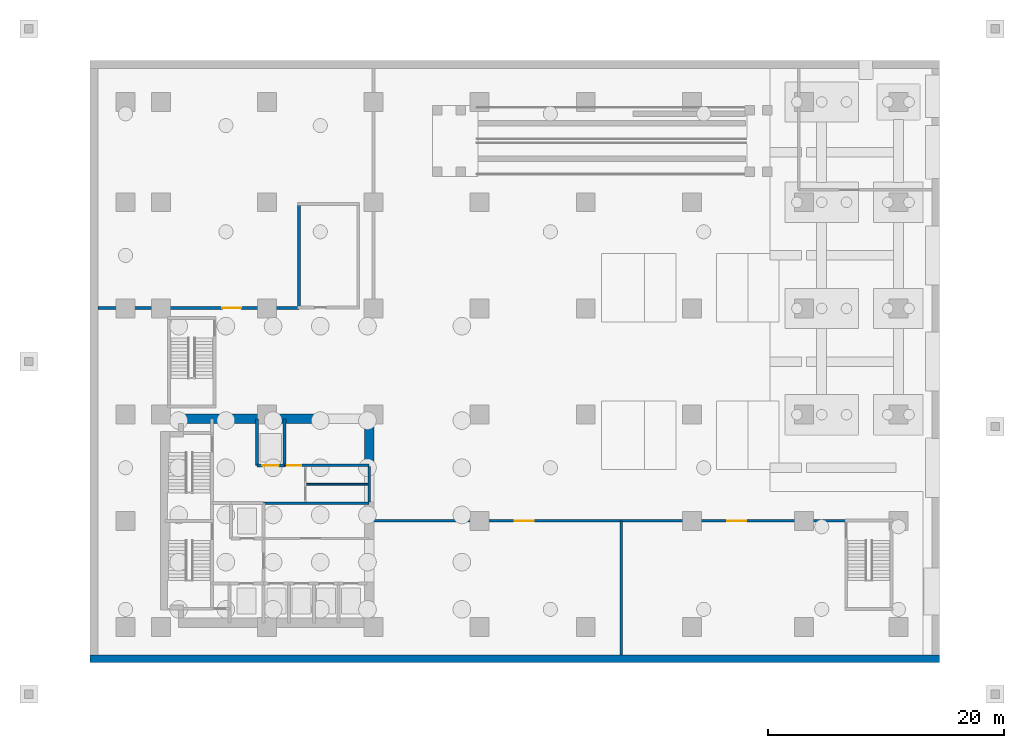
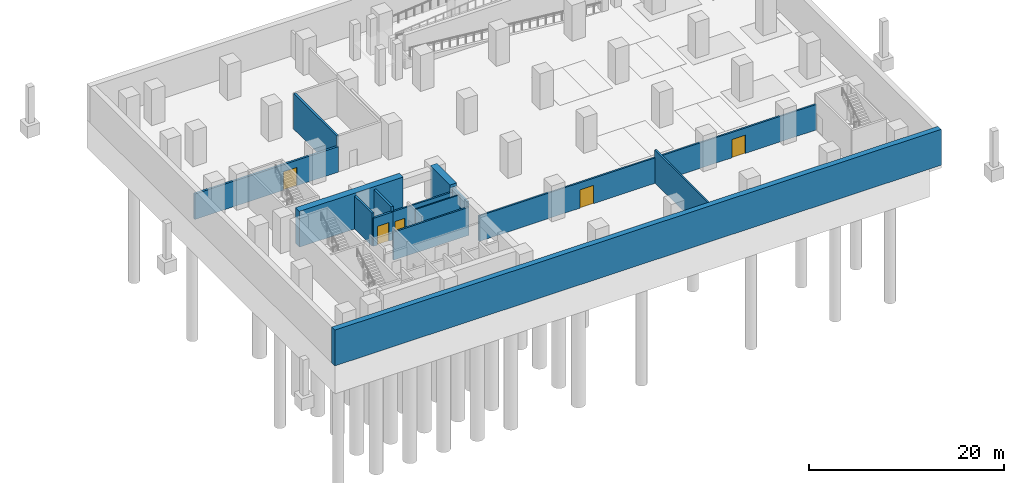
# One storey, part 5 of 10: 15 walls, 5 doors, 5 openings.
"""IFC4 building model written with IfcOpenShell, lengths in metres."""

import ifcopenshell
import ifcopenshell.guid

model = None  # the IFC model being written
_history = None  # IfcOwnerHistory: only IFC2X3 demands one
_inside = {}  # id of a spatial element -> (the spatial element, [elements in it])
_under = {}  # id of a project, library or spatial element -> (it, [spatial elements below it])
_declared = {}  # id of a project -> (the project, [libraries it declares])
_typed = {}  # id of a type object -> (the type object, [elements of that type])
_made_of = {}  # id of a material, layer set ... -> (it, [elements and type objects made of it])


def new_model(schema):
    """Start an empty IFC model of exactly this schema.

    Asked for "IFC4X3", IfcOpenShell would pick the latest addendum, in which some entities
    have other attributes; the version numbers below select the first issue.
    IFC2X3 requires an IfcOwnerHistory on every rooted entity: one is made here for all.
    """
    global model, _history
    if schema == "IFC4X3":
        model = ifcopenshell.file(schema_version=(4, 3, 0, 0))
    else:
        model = ifcopenshell.file(schema=schema)
    _inside.clear()
    _under.clear()
    _declared.clear()
    _typed.clear()
    _made_of.clear()
    _history = None
    if model.schema == "IFC2X3":
        org = make("IfcOrganization", Name="unknown")
        user = make(
            "IfcPersonAndOrganization",
            ThePerson=make("IfcPerson", FamilyName="unknown"),
            TheOrganization=org,
        )
        app = make(
            "IfcApplication",
            ApplicationDeveloper=org,
            Version="unknown",
            ApplicationFullName="unknown",
            ApplicationIdentifier="unknown",
        )
        _history = make(
            "IfcOwnerHistory",
            OwningUser=user,
            OwningApplication=app,
            ChangeAction="ADDED",
            CreationDate=0,
        )
    return model


def make(cls, **values):
    """One entity of the class cls with the attributes given. An attribute that is None is left unset."""
    return model.create_entity(
        cls, **{name: value for name, value in values.items() if value is not None}
    )


def rooted(cls, **values):
    """An entity with a GlobalId (a new one), such as an element, a storey or a relation."""
    return make(cls, GlobalId=ifcopenshell.guid.new(), OwnerHistory=_history, **values)


def si_unit(unit_type, name, prefix=None):
    """IfcSIUnit, for example si_unit("LENGTHUNIT", "METRE", prefix="MILLI")."""
    return make("IfcSIUnit", UnitType=unit_type, Prefix=prefix, Name=name)


def assignment(units):
    """IfcUnitAssignment: the units of a project."""
    return None if units is None else make("IfcUnitAssignment", Units=units)


def point(xyz):
    """IfcCartesianPoint."""
    return None if xyz is None else make("IfcCartesianPoint", Coordinates=xyz)


def direction(xyz):
    """IfcDirection."""
    return None if xyz is None else make("IfcDirection", DirectionRatios=xyz)


def frame(location, z_axis=None, x_axis=None):
    """IfcAxis2Placement3D, a coordinate frame: its origin and axes. An axis left out is left unset."""
    return make(
        "IfcAxis2Placement3D",
        Location=point(location),
        Axis=direction(z_axis),
        RefDirection=direction(x_axis),
    )


def frame_2d(location, x_axis=None):
    """IfcAxis2Placement2D, a coordinate frame in the plane: its origin and x axis."""
    return make(
        "IfcAxis2Placement2D", Location=point(location), RefDirection=direction(x_axis)
    )


def origin():
    """The frame at (0, 0, 0) with its axes left unset."""
    return frame((0.0, 0.0, 0.0))


def place(relative_to, where):
    """IfcLocalPlacement: puts the frame where relative to a parent placement (None: the world)."""
    return make(
        "IfcLocalPlacement", PlacementRelTo=relative_to, RelativePlacement=where
    )


def context(
    kind, dimensions, precision=None, world=None, true_north=None, identifier=None
):
    """IfcGeometricRepresentationContext, for example the 3D "Model" context."""
    return make(
        "IfcGeometricRepresentationContext",
        ContextIdentifier=identifier,
        ContextType=kind,
        CoordinateSpaceDimension=dimensions,
        Precision=precision,
        WorldCoordinateSystem=world,
        TrueNorth=true_north,
    )


def subcontext(parent, identifier, kind, view, scale=None):
    """IfcGeometricRepresentationSubContext, for example "Body" below "Model"."""
    return make(
        "IfcGeometricRepresentationSubContext",
        ContextIdentifier=identifier,
        ContextType=kind,
        ParentContext=parent,
        TargetScale=scale,
        TargetView=view,
    )


def project(units=None, contexts=None):
    """IfcProject with its units and contexts."""
    return rooted(
        "IfcProject",
        Name="project",
        RepresentationContexts=contexts,
        UnitsInContext=assignment(units),
    )


def spatial(cls, under=None, at=None, **own):
    """A site, building, storey or space (cls), placed at a placement, below another one or the project."""
    s = rooted(cls, ObjectPlacement=at, **own)
    if under is not None:
        _under.setdefault(under.id(), (under, []))[1].append(s)
    return s


def profile(cls, at=None, kind="AREA", **sizes):
    """A parametric profile (cls). Its sizes go by their IFC names, for example OverallWidth=200.0."""
    return make(cls, ProfileType=kind, Position=at, **sizes)


def rectangle(**sizes):
    """IfcRectangleProfileDef."""
    return profile("IfcRectangleProfileDef", **sizes)


def extrude(swept, where, along, depth):
    """IfcExtrudedAreaSolid: the profile swept, set in the frame where, extruded along a direction by depth."""
    return make(
        "IfcExtrudedAreaSolid",
        SweptArea=swept,
        Position=where,
        ExtrudedDirection=direction(along),
        Depth=depth,
    )


def shape(context_of_items, identifier, shape_type, items):
    """IfcShapeRepresentation: the items that make up one representation, for example the "Body"."""
    return make(
        "IfcShapeRepresentation",
        ContextOfItems=context_of_items,
        RepresentationIdentifier=identifier,
        RepresentationType=shape_type,
        Items=items,
    )


def material(Name=None, Category=None):
    """IfcMaterial."""
    return make("IfcMaterial", Name=Name, Category=Category)


def layer(
    of_material, thickness, ventilated=None, Name=None, Category=None, Priority=None
):
    """IfcMaterialLayer: one layer of a wall or slab, of a material (None: an air gap)."""
    return make(
        "IfcMaterialLayer",
        Material=of_material,
        LayerThickness=thickness,
        IsVentilated=ventilated,
        Name=Name,
        Category=Category,
        Priority=Priority,
    )


def layer_set(layers, Name=None):
    """IfcMaterialLayerSet."""
    return make("IfcMaterialLayerSet", MaterialLayers=layers, LayerSetName=Name)


def made_of(thing, what):
    """Note that an element or type object is made of a material, layer set ...; save() writes the relation."""
    if what is not None:
        _made_of.setdefault(what.id(), (what, []))[1].append(thing)
    return thing


def type_object(cls, material=None, **own):
    """A type object (cls), such as IfcWallType, which elements share."""
    return made_of(rooted(cls, **own), material)


def element(
    cls,
    number,
    at=None,
    inside=None,
    cuts=None,
    type_object=None,
    material=None,
    context=None,
    identifier="Body",
    shape_type=None,
    held_by="IfcProductDefinitionShape",
    body=None,
    shapes=None,
    **own,
):
    """One element of the class cls, such as IfcWall. Its Tag is "e" and its number.

    at: its placement. inside: the storey or other place that contains it. cuts: it is an
    opening in that element (IfcRelVoidsElement). A single representation is given by context,
    identifier, shape_type and body (its items); several are given by shapes. held_by: the class
    of the entity that holds the representations. save() writes the other relations.
    """
    e = rooted(cls, Tag="e%d" % number, ObjectPlacement=at, **own)
    if body is not None:
        shapes = [shape(context, identifier, shape_type, body)]
    if shapes is not None:
        e.Representation = make(held_by, Representations=shapes)
    if inside is not None:
        _inside.setdefault(inside.id(), (inside, []))[1].append(e)
    if cuts is not None:
        rooted(
            "IfcRelVoidsElement", RelatingBuildingElement=cuts, RelatedOpeningElement=e
        )
    if type_object is not None:
        _typed.setdefault(type_object.id(), (type_object, []))[1].append(e)
    return made_of(e, material)


def fill(opening, filler):
    """IfcRelFillsElement: the door or window that sits in an opening."""
    return rooted(
        "IfcRelFillsElement",
        RelatingOpeningElement=opening,
        RelatedBuildingElement=filler,
    )


def aggregate(whole, parts):
    """IfcRelAggregates: a whole, such as a stair, and the parts it consists of."""
    return rooted("IfcRelAggregates", RelatingObject=whole, RelatedObjects=parts)


def save(model, path):
    """Write the relations noted so far, then the file.

    IfcRelAggregates (storeys below a building ...), IfcRelContainedInSpatialStructure (elements
    in a storey), IfcRelDefinesByType, IfcRelAssociatesMaterial and IfcRelDeclares: one each for
    every whole, place, type object, material and project.
    """
    for whole, parts in _under.values():
        aggregate(whole, parts)
    for where, things in _inside.values():
        rooted(
            "IfcRelContainedInSpatialStructure",
            RelatedElements=things,
            RelatingStructure=where,
        )
    for kind, things in _typed.values():
        rooted("IfcRelDefinesByType", RelatedObjects=things, RelatingType=kind)
    for what, things in _made_of.values():
        rooted("IfcRelAssociatesMaterial", RelatedObjects=things, RelatingMaterial=what)
    for by, libraries in _declared.values():
        rooted("IfcRelDeclares", RelatingContext=by, RelatedDefinitions=libraries)
    model.write(path)


model = new_model("IFC4")

# Units and contexts
model_context = context("Model", 3, precision=1e-05, world=origin(), true_north=direction((0.0, 1.0)))
body_context = subcontext(model_context, "Body", "Model", "MODEL_VIEW")
ifc_project = project(units=[si_unit("LENGTHUNIT", "METRE"), si_unit("AREAUNIT", "SQUARE_METRE"), si_unit("VOLUMEUNIT", "CUBIC_METRE"), si_unit("PLANEANGLEUNIT", "RADIAN"), si_unit("MASSUNIT", "GRAM", prefix="KILO")], contexts=[model_context])

# Site, building, storey
site_placement = place(None, origin())
site = spatial("IfcSite", under=ifc_project, at=site_placement, CompositionType="ELEMENT")
building_placement = place(site_placement, origin())
building = spatial("IfcBuilding", under=site, at=building_placement, Name="Mawjdan Bourse Tower", CompositionType="ELEMENT")
storey_placement = place(building_placement, frame((0.0, 0.0, -13.5)))
storey = spatial("IfcBuildingStorey", under=building, at=storey_placement, Name="B03", CompositionType="ELEMENT", Elevation=-13.5)

# Wall, opening, door
ifc_material_1 = material(Name="Gypsum Fireboard Assembly")
ifc_layer_1 = layer(ifc_material_1, 0.199951171875)
ifc_layer_set_1 = layer_set([ifc_layer_1], Name="Gypsum Fireboard Assembly")
wall_type_1 = type_object("IfcWallType", Name="WL-CMP-200", PredefinedType="PARTITIONING", material=ifc_layer_set_1)
wall_1_placement = place(storey_placement, frame((16.449951171875, 16.699951171875, 0.0), z_axis=(0.0, 0.0, 1.0), x_axis=(1.0, 0.0, 0.0)))
wall_1 = element("IfcWall", 1, at=wall_1_placement, inside=storey, type_object=wall_type_1, Name="B03 Basement Core Header South Wall", PredefinedType="PARTITIONING", context=body_context, shape_type="SweptSolid", body=[
    extrude(rectangle(XDim=7.199951171875, YDim=0.199951171875, at=frame_2d((3.60009765625, 0.0))), origin(), (0.0, 0.0, 1.0), 3.52294921875),
])
opening_1_placement = place(wall_1_placement, frame((0.25, 0.0, 0.0)))
opening_1 = element("IfcOpeningElement", 2, at=opening_1_placement, cuts=wall_1, Name="Opening PD-B03-10", PredefinedType="OPENING", context=body_context, shape_type="SweptSolid", body=[
    extrude(rectangle(XDim=1.199951171875, YDim=2.199951171875, at=frame_2d((0.60009765625, 1.10009765625))), frame((0.0, 0.10986328125, 0.0), z_axis=(0.0, -1.0, 0.0), x_axis=(1.0, 0.0, 0.0)), (0.0, 0.0, 1.0), 0.219970703125),
])
ifc_material_2 = material(Name="Fire-Rated Steel Leaf", Category="steel")
door_type_1 = type_object("IfcDoorType", Name="FD-FFL-1200", OperationType="NOTDEFINED", PredefinedType="DOOR", material=ifc_material_2)
door_1_placement = place(opening_1_placement, origin())
door_1 = element("IfcDoor", 3, at=door_1_placement, inside=storey, type_object=door_type_1, Name="B03 Core Header Room Door PD-B03-10", OperationType="SINGLE_SWING_RIGHT", OverallHeight=2.199951171875, OverallWidth=1.199951171875, PredefinedType="DOOR", context=body_context, shape_type="SweptSolid", body=[
    extrude(rectangle(XDim=1.199951171875, YDim=2.199951171875, at=frame_2d((0.60009765625, 1.10009765625))), frame((0.0, 0.02490234375, 0.0), z_axis=(0.0, -1.0, 0.0), x_axis=(1.0, 0.0, 0.0)), (0.0, 0.0, 1.0), 0.050048828125),
])
fill(opening_1, door_1)

# Walls
wall_2_placement = place(storey_placement, frame((14.699951171875, 13.5, 0.0), z_axis=(0.0, 0.0, 1.0), x_axis=(1.0, 0.0, 0.0)))
element("IfcWall", 4, at=wall_2_placement, inside=storey, type_object=wall_type_1, Name="B03 Basement Switchroom North Wall", PredefinedType="PARTITIONING", context=body_context, shape_type="SweptSolid", body=[
    extrude(rectangle(XDim=8.949951171875, YDim=0.199951171875, at=frame_2d((4.47509765625, 0.0))), origin(), (0.0, 0.0, 1.0), 3.52294921875),
])
wall_3_placement = place(storey_placement, frame((23.64990234375, 13.60009765625, 0.0), z_axis=(0.0, 0.0, 1.0), x_axis=(0.0, 1.0, 0.0)))
element("IfcWall", 5, at=wall_3_placement, inside=storey, type_object=wall_type_1, Name="B03 Core Restroom East Enclosing Wall", PredefinedType="PARTITIONING", context=body_context, shape_type="SweptSolid", body=[
    extrude(rectangle(XDim=3.0, YDim=0.199951171875, at=frame_2d((1.5, 0.0))), origin(), (0.0, 0.0, 1.0), 4.139892578125),
])
wall_4_placement = place(storey_placement, frame((45.0, 0.64990234375, 0.0), z_axis=(0.0, 0.0, 1.0), x_axis=(0.0, 1.0, 0.0)))
element("IfcWall", 6, at=wall_4_placement, inside=storey, type_object=wall_type_1, Name="B03 Basement South Plant Split Wall", PredefinedType="PARTITIONING", context=body_context, shape_type="SweptSolid", body=[
    extrude(rectangle(XDim=11.35009765625, YDim=0.199951171875, at=frame_2d((5.675048828125, 0.0))), origin(), (0.0, 0.0, 1.0), 4.139892578125),
])

# Wall, opening, door
wall_5_placement = place(storey_placement, frame((24.0, 12.0, 0.0), z_axis=(0.0, 0.0, 1.0), x_axis=(1.0, 0.0, 0.0)))
wall_5 = element("IfcWall", 7, at=wall_5_placement, inside=storey, type_object=wall_type_1, Name="B03 Fire & Domestic Water Storage Tank Plant North Wall", PredefinedType="PARTITIONING", context=body_context, shape_type="SweptSolid", body=[
    extrude(rectangle(XDim=21.0, YDim=0.199951171875, at=frame_2d((10.5, 0.0))), origin(), (0.0, 0.0, 1.0), 3.199951171875),
])
opening_2_placement = place(wall_5_placement, frame((12.0, 0.0, 0.0)))
opening_2 = element("IfcOpeningElement", 8, at=opening_2_placement, cuts=wall_5, Name="Opening PD-B03-22", PredefinedType="OPENING", context=body_context, shape_type="SweptSolid", body=[
    extrude(rectangle(XDim=1.60009765625, YDim=2.300048828125, at=frame_2d((0.800048828125, 1.14990234375))), frame((0.0, 0.10986328125, 0.0), z_axis=(0.0, -1.0, 0.0), x_axis=(1.0, 0.0, 0.0)), (0.0, 0.0, 1.0), 0.219970703125),
])
ifc_material_3 = material(Name="Fire-Rated Acoustic Steel", Category="steel")
door_type_2 = type_object("IfcDoorType", Name="FD-PLT-1600", OperationType="DOUBLE_DOOR_SINGLE_SWING", PredefinedType="DOOR", material=ifc_material_3)
door_2_placement = place(opening_2_placement, origin())
door_2 = element("IfcDoor", 9, at=door_2_placement, inside=storey, type_object=door_type_2, Name="B03 Fire & Domestic Water Storage Tank Plant Door PD-B03-22", OperationType="DOUBLE_DOOR_SINGLE_SWING", OverallHeight=2.300048828125, OverallWidth=1.60009765625, PredefinedType="DOOR", context=body_context, shape_type="SweptSolid", body=[
    extrude(rectangle(XDim=1.60009765625, YDim=2.300048828125, at=frame_2d((0.800048828125, 1.14990234375))), frame((0.0, 0.02490234375, 0.0), z_axis=(0.0, -1.0, 0.0), x_axis=(1.0, 0.0, 0.0)), (0.0, 0.0, 1.0), 0.050048828125),
])
fill(opening_2, door_2)

wall_6_placement = place(storey_placement, frame((45.0, 12.0, 0.0), z_axis=(0.0, 0.0, 1.0), x_axis=(1.0, 0.0, 0.0)))
wall_6 = element("IfcWall", 10, at=wall_6_placement, inside=storey, type_object=wall_type_1, Name="B03 Greywater Treatment Plant North Wall", PredefinedType="PARTITIONING", context=body_context, shape_type="SweptSolid", body=[
    extrude(rectangle(XDim=19.080078125, YDim=0.199951171875, at=frame_2d((9.5400390625, 0.0))), origin(), (0.0, 0.0, 1.0), 3.199951171875),
])
opening_3_placement = place(wall_6_placement, frame((9.0, 0.0, 0.0)))
opening_3 = element("IfcOpeningElement", 11, at=opening_3_placement, cuts=wall_6, Name="Opening PD-B03-23", PredefinedType="OPENING", context=body_context, shape_type="SweptSolid", body=[
    extrude(rectangle(XDim=1.60009765625, YDim=2.300048828125, at=frame_2d((0.800048828125, 1.14990234375))), frame((0.0, 0.10986328125, 0.0), z_axis=(0.0, -1.0, 0.0), x_axis=(1.0, 0.0, 0.0)), (0.0, 0.0, 1.0), 0.219970703125),
])
door_3_placement = place(opening_3_placement, origin())
door_3 = element("IfcDoor", 12, at=door_3_placement, inside=storey, type_object=door_type_2, Name="B03 Greywater Treatment Plant Door PD-B03-23", OperationType="DOUBLE_DOOR_SINGLE_SWING", OverallHeight=2.300048828125, OverallWidth=1.60009765625, PredefinedType="DOOR", context=body_context, shape_type="SweptSolid", body=[
    extrude(rectangle(XDim=1.60009765625, YDim=2.300048828125, at=frame_2d((0.800048828125, 1.14990234375))), frame((0.0, 0.02490234375, 0.0), z_axis=(0.0, -1.0, 0.0), x_axis=(1.0, 0.0, 0.0)), (0.0, 0.0, 1.0), 0.050048828125),
])
fill(opening_3, door_3)

# Walls
ifc_material_4 = material(Name="Concrete C80/95", Category="concrete")
ifc_layer_2 = layer(ifc_material_4, 0.800048828125)
ifc_layer_set_2 = layer_set([ifc_layer_2], Name="Concrete C80/95")
wall_type_2 = type_object("IfcWallType", Name="WL-CORE-800", PredefinedType="SHEAR", material=ifc_layer_set_2)
wall_7_placement = place(storey_placement, frame((7.47509765625, 20.64990234375, 0.0), z_axis=(0.0, 0.0, 1.0), x_axis=(1.0, 0.0, 0.0)))
element("IfcWall", 13, at=wall_7_placement, inside=storey, type_object=wall_type_2, Name="B03 Rear Core Shear Wall N", PredefinedType="SHEAR", context=body_context, shape_type="SweptSolid", body=[
    extrude(rectangle(XDim=12.324951171875, YDim=0.800048828125, at=frame_2d((6.16259765625, 0.0))), origin(), (0.0, 0.0, 1.0), 4.5),
])
wall_8_placement = place(storey_placement, frame((23.64990234375, 16.60009765625, 0.0), z_axis=(0.0, 0.0, 1.0), x_axis=(0.0, 1.0, 0.0)))
element("IfcWall", 14, at=wall_8_placement, inside=storey, type_object=wall_type_2, Name="B03 Rear Core Shear Wall E3", PredefinedType="SHEAR", context=body_context, shape_type="SweptSolid", body=[
    extrude(rectangle(XDim=4.0498046875, YDim=0.800048828125, at=frame_2d((2.02490234375, 0.0))), origin(), (0.0, 0.0, 1.0), 4.5),
])
ifc_material_5 = material(Name="Gypsum Acoustic Partition")
ifc_layer_3 = layer(ifc_material_5, 0.14990234375)
ifc_layer_set_3 = layer_set([ifc_layer_3], Name="Gypsum Acoustic Partition")
wall_type_3 = type_object("IfcWallType", Name="WL-PRT-150", PredefinedType="PARTITIONING", material=ifc_layer_set_3)
wall_9_placement = place(storey_placement, frame((18.25, 15.10009765625, 0.0), z_axis=(0.0, 0.0, 1.0), x_axis=(1.0, 0.0, 0.0)))
element("IfcWall", 15, at=wall_9_placement, inside=storey, type_object=wall_type_3, Name="B03 Core Restroom Horizontal Split", PredefinedType="PARTITIONING", context=body_context, shape_type="SweptSolid", body=[
    extrude(rectangle(XDim=5.39990234375, YDim=0.14990234375, at=frame_2d((2.699951171875, 0.0))), origin(), (0.0, 0.0, 1.0), 4.139892578125),
])
ifc_material_6 = material(Name="Concrete C60/75", Category="concrete")
ifc_layer_4 = layer(ifc_material_6, 0.64990234375)
ifc_layer_set_4 = layer_set([ifc_layer_4], Name="Concrete C60/75")
wall_type_4 = type_object("IfcWallType", Name="WL-RET-650", PredefinedType="USERDEFINED", material=ifc_layer_set_4)
wall_10_placement = place(storey_placement, frame((0.0, 0.324951171875, 0.0), z_axis=(0.0, 0.0, 1.0), x_axis=(1.0, 0.0, 0.0)))
element("IfcWall", 16, at=wall_10_placement, inside=storey, type_object=wall_type_4, Name="B03 Perimeter Diaphragm Retaining Wall S", ObjectType="RETAINING", PredefinedType="USERDEFINED", context=body_context, shape_type="SweptSolid", body=[
    extrude(rectangle(XDim=72.0, YDim=0.64990234375, at=frame_2d((36.0, 0.0))), origin(), (0.0, 0.0, 1.0), 4.5),
])

# Wall, opening, door
ifc_material_7 = material(Name="Concrete C50/60", Category="concrete")
ifc_layer_5 = layer(ifc_material_7, 0.25)
ifc_layer_set_5 = layer_set([ifc_layer_5], Name="Concrete C50/60")
wall_type_5 = type_object("IfcWallType", Name="WL-SHFT-250", PredefinedType="PARTITIONING", material=ifc_layer_set_5)
wall_11_placement = place(storey_placement, frame((14.14990234375, 16.699951171875, 0.0), z_axis=(0.0, 0.0, 1.0), x_axis=(1.0, 0.0, 0.0)))
wall_11 = element("IfcWall", 17, at=wall_11_placement, inside=storey, type_object=wall_type_5, Name="B03 SVL-01 Front Shaft Wall", PredefinedType="PARTITIONING", context=body_context, shape_type="SweptSolid", body=[
    extrude(rectangle(XDim=2.300048828125, YDim=0.25, at=frame_2d((1.14990234375, 0.0))), origin(), (0.0, 0.0, 1.0), 3.52294921875),
])
opening_4_placement = place(wall_11_placement, frame((0.449951171875, 0.0, 0.0)))
opening_4 = element("IfcOpeningElement", 18, at=opening_4_placement, cuts=wall_11, Name="Opening LD-B03-09", PredefinedType="OPENING", context=body_context, shape_type="SweptSolid", body=[
    extrude(rectangle(XDim=1.39990234375, YDim=2.35009765625, at=frame_2d((0.699951171875, 1.175048828125))), frame((0.0, 0.135009765625, 0.0), z_axis=(0.0, -1.0, 0.0), x_axis=(1.0, 0.0, 0.0)), (0.0, 0.0, 1.0), 0.27001953125),
])
ifc_material_8 = material(Name="Heavy-Duty Stainless Steel", Category="steel")
door_type_3 = type_object("IfcDoorType", Name="LD-SRV-1400", OperationType="DOUBLE_DOOR_SLIDING", PredefinedType="DOOR", material=ifc_material_8)
door_4_placement = place(opening_4_placement, origin())
door_4 = element("IfcDoor", 19, at=door_4_placement, inside=storey, type_object=door_type_3, Name="B03 Service Lift SVL-01 Landing Door LD-B03-09", OperationType="DOUBLE_DOOR_SLIDING", OverallHeight=2.35009765625, OverallWidth=1.39990234375, PredefinedType="DOOR", context=body_context, shape_type="SweptSolid", body=[
    extrude(rectangle(XDim=1.39990234375, YDim=2.35009765625, at=frame_2d((0.699951171875, 1.175048828125))), frame((0.0, 0.02490234375, 0.0), z_axis=(0.0, -1.0, 0.0), x_axis=(1.0, 0.0, 0.0)), (0.0, 0.0, 1.0), 0.050048828125),
])
fill(opening_4, door_4)

# Walls
for number, where, z_axis, x_axis, name in (
    (20, (14.14990234375, 16.699951171875, 0.0), (0.0, 0.0, 1.0), (0.0, 1.0, 0.0), "B03 SVL-01 West Shaft Wall"),
    (21, (16.449951171875, 16.699951171875, 0.0), (0.0, 0.0, 1.0), (0.0, 1.0, 0.0), "B03 SVL-01 East Shaft Wall"),
):
    element("IfcWall", number, at=place(storey_placement, frame(where, z_axis=z_axis, x_axis=x_axis)), inside=storey, type_object=wall_type_5, Name=name, PredefinedType="PARTITIONING", context=body_context, shape_type="SweptSolid", body=[
        extrude(rectangle(XDim=3.949951171875, YDim=0.25, at=frame_2d((1.97509765625, 0.0))), origin(), (0.0, 0.0, 1.0), 4.139892578125),
    ])

# Wall, opening, door
wall_12_placement = place(storey_placement, frame((0.64990234375, 30.050048828125, 0.0), z_axis=(0.0, 0.0, 1.0), x_axis=(1.0, 0.0, 0.0)))
wall_12 = element("IfcWall", 22, at=wall_12_placement, inside=storey, type_object=wall_type_5, Name="B03 Bullion Security Vault South Vault Wall", PredefinedType="PARTITIONING", context=body_context, shape_type="SweptSolid", body=[
    extrude(rectangle(XDim=17.030029296875, YDim=0.25, at=frame_2d((8.51513671875, 0.0))), origin(), (0.0, 0.0, 1.0), 3.199951171875),
])
opening_5_placement = place(wall_12_placement, frame((10.550048828125, 0.0, 0.0)))
opening_5 = element("IfcOpeningElement", 23, at=opening_5_placement, cuts=wall_12, Name="Opening VD-B03-20", PredefinedType="OPENING", context=body_context, shape_type="SweptSolid", body=[
    extrude(rectangle(XDim=1.60009765625, YDim=2.300048828125, at=frame_2d((0.800048828125, 1.14990234375))), frame((0.0, 0.135009765625, 0.0), z_axis=(0.0, -1.0, 0.0), x_axis=(1.0, 0.0, 0.0)), (0.0, 0.0, 1.0), 0.27001953125),
])
door_5_placement = place(opening_5_placement, origin())
door_5 = element("IfcDoor", 24, at=door_5_placement, inside=storey, type_object=door_type_2, Name="B03 Bullion Security Vault Security Door VD-B03-20", OperationType="DOUBLE_DOOR_SINGLE_SWING", OverallHeight=2.300048828125, OverallWidth=1.60009765625, PredefinedType="DOOR", context=body_context, shape_type="SweptSolid", body=[
    extrude(rectangle(XDim=1.60009765625, YDim=2.300048828125, at=frame_2d((0.800048828125, 1.14990234375))), frame((0.0, 0.02490234375, 0.0), z_axis=(0.0, -1.0, 0.0), x_axis=(1.0, 0.0, 0.0)), (0.0, 0.0, 1.0), 0.050048828125),
])
fill(opening_5, door_5)

# Wall
ifc_layer_6 = layer(ifc_material_7, 0.25)
ifc_layer_set_6 = layer_set([ifc_layer_6], Name="Concrete C50/60")
wall_type_6 = type_object("IfcWallType", Name="WL-STRW-250", PredefinedType="SHEAR", material=ifc_layer_set_6)
wall_13_placement = place(storey_placement, frame((17.679931640625, 30.080078125, 0.0), z_axis=(0.0, 0.0, 1.0), x_axis=(0.0, 1.0, 0.0)))
element("IfcWall", 25, at=wall_13_placement, inside=storey, type_object=wall_type_6, Name="B03 ST4 Sub-Shaft West Wall", PredefinedType="SHEAR", context=body_context, shape_type="SweptSolid", body=[
    extrude(rectangle(XDim=8.7900390625, YDim=0.25, at=frame_2d((4.39501953125, 0.0))), origin(), (0.0, 0.0, 1.0), 4.5),
])

save(model, "model.ifc")
